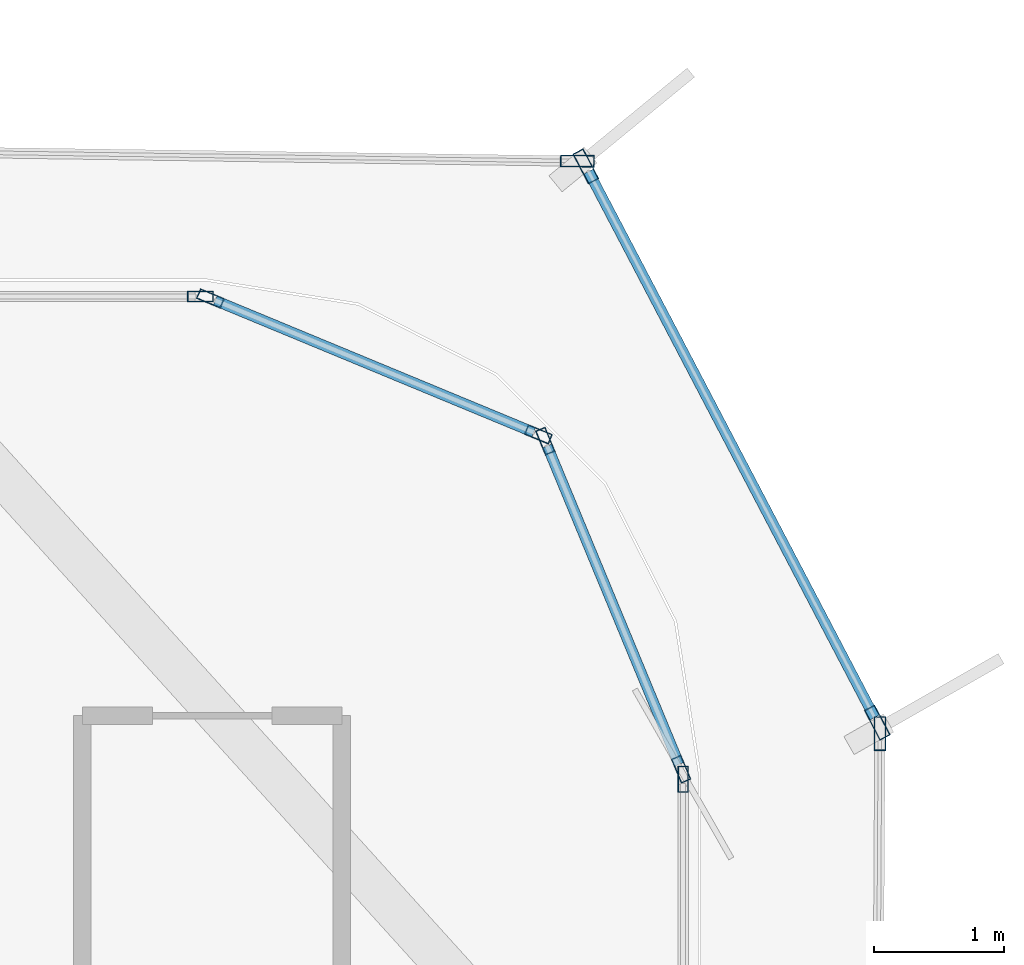
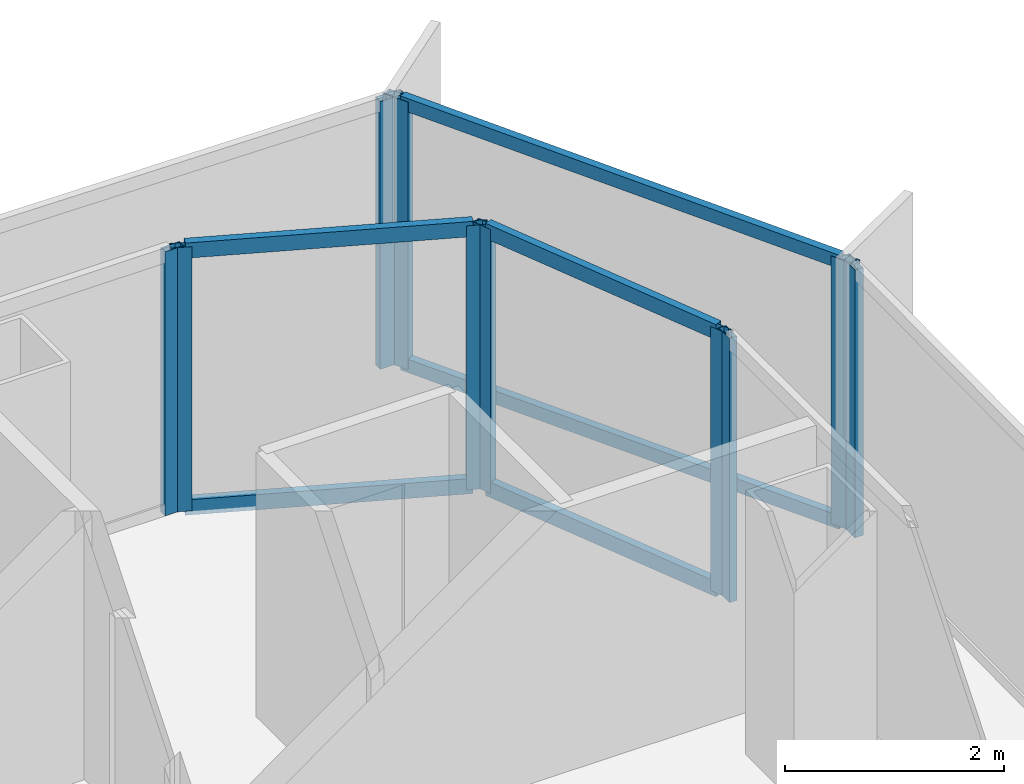
# One storey, part 14 of 21: 16 members, 7 elements without a shape of their own.
"""IFC4 building model written with IfcOpenShell, lengths in metres."""

import ifcopenshell
import ifcopenshell.guid

model = None  # the IFC model being written
_history = None  # IfcOwnerHistory: only IFC2X3 demands one
_inside = {}  # id of a spatial element -> (the spatial element, [elements in it])
_under = {}  # id of a project, library or spatial element -> (it, [spatial elements below it])
_declared = {}  # id of a project -> (the project, [libraries it declares])
_typed = {}  # id of a type object -> (the type object, [elements of that type])
_made_of = {}  # id of a material, layer set ... -> (it, [elements and type objects made of it])


def new_model(schema):
    """Start an empty IFC model of exactly this schema.

    Asked for "IFC4X3", IfcOpenShell would pick the latest addendum, in which some entities
    have other attributes; the version numbers below select the first issue.
    IFC2X3 requires an IfcOwnerHistory on every rooted entity: one is made here for all.
    """
    global model, _history
    if schema == "IFC4X3":
        model = ifcopenshell.file(schema_version=(4, 3, 0, 0))
    else:
        model = ifcopenshell.file(schema=schema)
    _inside.clear()
    _under.clear()
    _declared.clear()
    _typed.clear()
    _made_of.clear()
    _history = None
    if model.schema == "IFC2X3":
        org = make("IfcOrganization", Name="unknown")
        user = make(
            "IfcPersonAndOrganization",
            ThePerson=make("IfcPerson", FamilyName="unknown"),
            TheOrganization=org,
        )
        app = make(
            "IfcApplication",
            ApplicationDeveloper=org,
            Version="unknown",
            ApplicationFullName="unknown",
            ApplicationIdentifier="unknown",
        )
        _history = make(
            "IfcOwnerHistory",
            OwningUser=user,
            OwningApplication=app,
            ChangeAction="ADDED",
            CreationDate=0,
        )
    return model


def make(cls, **values):
    """One entity of the class cls with the attributes given. An attribute that is None is left unset."""
    return model.create_entity(
        cls, **{name: value for name, value in values.items() if value is not None}
    )


def rooted(cls, **values):
    """An entity with a GlobalId (a new one), such as an element, a storey or a relation."""
    return make(cls, GlobalId=ifcopenshell.guid.new(), OwnerHistory=_history, **values)


def si_unit(unit_type, name, prefix=None):
    """IfcSIUnit, for example si_unit("LENGTHUNIT", "METRE", prefix="MILLI")."""
    return make("IfcSIUnit", UnitType=unit_type, Prefix=prefix, Name=name)


def assignment(units):
    """IfcUnitAssignment: the units of a project."""
    return None if units is None else make("IfcUnitAssignment", Units=units)


def point(xyz):
    """IfcCartesianPoint."""
    return None if xyz is None else make("IfcCartesianPoint", Coordinates=xyz)


def direction(xyz):
    """IfcDirection."""
    return None if xyz is None else make("IfcDirection", DirectionRatios=xyz)


def frame(location, z_axis=None, x_axis=None):
    """IfcAxis2Placement3D, a coordinate frame: its origin and axes. An axis left out is left unset."""
    return make(
        "IfcAxis2Placement3D",
        Location=point(location),
        Axis=direction(z_axis),
        RefDirection=direction(x_axis),
    )


def frame_2d(location, x_axis=None):
    """IfcAxis2Placement2D, a coordinate frame in the plane: its origin and x axis."""
    return make(
        "IfcAxis2Placement2D", Location=point(location), RefDirection=direction(x_axis)
    )


def origin():
    """The frame at (0, 0, 0) with its axes left unset."""
    return frame((0.0, 0.0, 0.0))


def origin_2d():
    """The frame at (0, 0) in the plane with its x axis left unset."""
    return frame_2d((0.0, 0.0))


def place(relative_to, where):
    """IfcLocalPlacement: puts the frame where relative to a parent placement (None: the world)."""
    return make(
        "IfcLocalPlacement", PlacementRelTo=relative_to, RelativePlacement=where
    )


def context(
    kind, dimensions, precision=None, world=None, true_north=None, identifier=None
):
    """IfcGeometricRepresentationContext, for example the 3D "Model" context."""
    return make(
        "IfcGeometricRepresentationContext",
        ContextIdentifier=identifier,
        ContextType=kind,
        CoordinateSpaceDimension=dimensions,
        Precision=precision,
        WorldCoordinateSystem=world,
        TrueNorth=true_north,
    )


def subcontext(parent, identifier, kind, view, scale=None):
    """IfcGeometricRepresentationSubContext, for example "Body" below "Model"."""
    return make(
        "IfcGeometricRepresentationSubContext",
        ContextIdentifier=identifier,
        ContextType=kind,
        ParentContext=parent,
        TargetScale=scale,
        TargetView=view,
    )


def project(units=None, contexts=None):
    """IfcProject with its units and contexts."""
    return rooted(
        "IfcProject",
        Name="project",
        RepresentationContexts=contexts,
        UnitsInContext=assignment(units),
    )


def spatial(cls, under=None, at=None, **own):
    """A site, building, storey or space (cls), placed at a placement, below another one or the project."""
    s = rooted(cls, ObjectPlacement=at, **own)
    if under is not None:
        _under.setdefault(under.id(), (under, []))[1].append(s)
    return s


def profile(cls, at=None, kind="AREA", **sizes):
    """A parametric profile (cls). Its sizes go by their IFC names, for example OverallWidth=200.0."""
    return make(cls, ProfileType=kind, Position=at, **sizes)


def hollow_rectangle(**sizes):
    """IfcRectangleHollowProfileDef."""
    return profile("IfcRectangleHollowProfileDef", **sizes)


def extrude(swept, where, along, depth):
    """IfcExtrudedAreaSolid: the profile swept, set in the frame where, extruded along a direction by depth."""
    return make(
        "IfcExtrudedAreaSolid",
        SweptArea=swept,
        Position=where,
        ExtrudedDirection=direction(along),
        Depth=depth,
    )


def shape(context_of_items, identifier, shape_type, items):
    """IfcShapeRepresentation: the items that make up one representation, for example the "Body"."""
    return make(
        "IfcShapeRepresentation",
        ContextOfItems=context_of_items,
        RepresentationIdentifier=identifier,
        RepresentationType=shape_type,
        Items=items,
    )


def source(mapping_origin, context_of_items, identifier, shape_type, items):
    """IfcRepresentationMap: a shape defined once, which mapped items show again and again."""
    return make(
        "IfcRepresentationMap",
        MappingOrigin=mapping_origin,
        MappedRepresentation=shape(context_of_items, identifier, shape_type, items),
    )


def transform(
    local_origin,
    x_axis=None,
    y_axis=None,
    z_axis=None,
    scale=None,
    scale2=None,
    scale3=None,
    uniform=True,
):
    """IfcCartesianTransformationOperator3D, or its non-uniform kind. x_axis, y_axis, z_axis: its Axis1, 2, 3."""
    if uniform:
        return make(
            "IfcCartesianTransformationOperator3D",
            Axis1=direction(x_axis),
            Axis2=direction(y_axis),
            LocalOrigin=point(local_origin),
            Scale=scale,
            Axis3=direction(z_axis),
        )
    return make(
        "IfcCartesianTransformationOperator3DnonUniform",
        Axis1=direction(x_axis),
        Axis2=direction(y_axis),
        LocalOrigin=point(local_origin),
        Scale=scale,
        Axis3=direction(z_axis),
        Scale2=scale2,
        Scale3=scale3,
    )


def mapped(mapping_source, mapping_target):
    """IfcMappedItem: shows the shape of a source again, moved by a transform."""
    return make(
        "IfcMappedItem", MappingSource=mapping_source, MappingTarget=mapping_target
    )


def material(Name=None, Category=None):
    """IfcMaterial."""
    return make("IfcMaterial", Name=Name, Category=Category)


def layer(
    of_material, thickness, ventilated=None, Name=None, Category=None, Priority=None
):
    """IfcMaterialLayer: one layer of a wall or slab, of a material (None: an air gap)."""
    return make(
        "IfcMaterialLayer",
        Material=of_material,
        LayerThickness=thickness,
        IsVentilated=ventilated,
        Name=Name,
        Category=Category,
        Priority=Priority,
    )


def layer_set(layers, Name=None):
    """IfcMaterialLayerSet."""
    return make("IfcMaterialLayerSet", MaterialLayers=layers, LayerSetName=Name)


def material_profile(
    of_material, cross_section, Name=None, Category=None, Priority=None
):
    """IfcMaterialProfile: a cross section and its material."""
    return make(
        "IfcMaterialProfile",
        Name=Name,
        Material=of_material,
        Profile=cross_section,
        Priority=Priority,
        Category=Category,
    )


def profile_set(profiles, Name=None, composite=None):
    """IfcMaterialProfileSet."""
    return make(
        "IfcMaterialProfileSet",
        Name=Name,
        MaterialProfiles=profiles,
        CompositeProfile=composite,
    )


def made_of(thing, what):
    """Note that an element or type object is made of a material, layer set ...; save() writes the relation."""
    if what is not None:
        _made_of.setdefault(what.id(), (what, []))[1].append(thing)
    return thing


def type_object(cls, material=None, **own):
    """A type object (cls), such as IfcWallType, which elements share."""
    return made_of(rooted(cls, **own), material)


def element(
    cls,
    number,
    at=None,
    inside=None,
    cuts=None,
    type_object=None,
    material=None,
    context=None,
    identifier="Body",
    shape_type=None,
    held_by="IfcProductDefinitionShape",
    body=None,
    shapes=None,
    **own,
):
    """One element of the class cls, such as IfcWall. Its Tag is "e" and its number.

    at: its placement. inside: the storey or other place that contains it. cuts: it is an
    opening in that element (IfcRelVoidsElement). A single representation is given by context,
    identifier, shape_type and body (its items); several are given by shapes. held_by: the class
    of the entity that holds the representations. save() writes the other relations.
    """
    e = rooted(cls, Tag="e%d" % number, ObjectPlacement=at, **own)
    if body is not None:
        shapes = [shape(context, identifier, shape_type, body)]
    if shapes is not None:
        e.Representation = make(held_by, Representations=shapes)
    if inside is not None:
        _inside.setdefault(inside.id(), (inside, []))[1].append(e)
    if cuts is not None:
        rooted(
            "IfcRelVoidsElement", RelatingBuildingElement=cuts, RelatedOpeningElement=e
        )
    if type_object is not None:
        _typed.setdefault(type_object.id(), (type_object, []))[1].append(e)
    return made_of(e, material)


def aggregate(whole, parts):
    """IfcRelAggregates: a whole, such as a stair, and the parts it consists of."""
    return rooted("IfcRelAggregates", RelatingObject=whole, RelatedObjects=parts)


def save(model, path):
    """Write the relations noted so far, then the file.

    IfcRelAggregates (storeys below a building ...), IfcRelContainedInSpatialStructure (elements
    in a storey), IfcRelDefinesByType, IfcRelAssociatesMaterial and IfcRelDeclares: one each for
    every whole, place, type object, material and project.
    """
    for whole, parts in _under.values():
        aggregate(whole, parts)
    for where, things in _inside.values():
        rooted(
            "IfcRelContainedInSpatialStructure",
            RelatedElements=things,
            RelatingStructure=where,
        )
    for kind, things in _typed.values():
        rooted("IfcRelDefinesByType", RelatedObjects=things, RelatingType=kind)
    for what, things in _made_of.values():
        rooted("IfcRelAssociatesMaterial", RelatedObjects=things, RelatingMaterial=what)
    for by, libraries in _declared.values():
        rooted("IfcRelDeclares", RelatingContext=by, RelatedDefinitions=libraries)
    model.write(path)


model = new_model("IFC4")

# Units and contexts
model_context = context("Model", 3, precision=1e-05, world=origin(), true_north=direction((0.0, 1.0)))
body_context = subcontext(model_context, "Body", "Model", "MODEL_VIEW")
ifc_project = project(units=[si_unit("LENGTHUNIT", "METRE"), si_unit("AREAUNIT", "SQUARE_METRE"), si_unit("VOLUMEUNIT", "CUBIC_METRE"), si_unit("PLANEANGLEUNIT", "RADIAN"), si_unit("MASSUNIT", "GRAM", prefix="KILO")], contexts=[model_context])

# Site, building, storey
site_placement = place(None, origin())
site = spatial("IfcSite", under=ifc_project, at=site_placement, CompositionType="ELEMENT")
building_placement = place(site_placement, origin())
building = spatial("IfcBuilding", under=site, at=building_placement, Name="Kolveth Station Tower", CompositionType="ELEMENT")
storey_placement = place(building_placement, frame((0.0, 0.0, 131.10009765625)))
storey = spatial("IfcBuildingStorey", under=building, at=storey_placement, Name="L36", CompositionType="ELEMENT", Elevation=131.10009765625)

# Curtain wall, member
ifc_material_1 = material(Name="Aluminium 6063-T6 and low-E dark glass", Category="aluminium")
ifc_layer_1 = layer(ifc_material_1, 0.18994140625)
ifc_layer_set_1 = layer_set([ifc_layer_1], Name="Aluminium 6063-T6 and low-E dark glass")
curtain_wall_type_1 = type_object("IfcCurtainWallType", Name="CurtainWall_CW-Z2", PredefinedType="NOTDEFINED", material=ifc_layer_set_1)
curtain_wall_1_placement = place(storey_placement, origin())
curtain_wall_1 = element("IfcCurtainWall", 1, at=curtain_wall_1_placement, inside=storey, type_object=curtain_wall_type_1, Name="L36 Inner Thermal Curtain Wall 3", PredefinedType="NOTDEFINED")
ifc_material_2 = material(Name="Black anodized aluminium 6063-T6", Category="aluminium")
ifc_material_profile_1 = material_profile(ifc_material_2, hollow_rectangle(XDim=0.080078125, YDim=0.199951171875, WallThickness=0.0048828125, at=origin_2d()), Name="ALU-80x200x5")
ifc_profile_set_1 = profile_set([ifc_material_profile_1], Name="Black anodized aluminium 6063-T6")
member_type_1 = type_object("IfcMemberType", Name="Mullion_ML2", PredefinedType="MULLION", material=ifc_profile_set_1)
shared_shape_1 = source(origin(), body_context, "Body", "SweptSolid", [
    extrude(hollow_rectangle(XDim=0.080078125, YDim=0.199951171875, WallThickness=0.0048828125, at=origin_2d()), origin(), (0.0, 0.0, 1.0), 2.949951171875),
])
member_1_placement = place(storey_placement, frame((46.8798828125, 31.4599609375, 0.0), z_axis=(0.0, 0.0, 1.0), x_axis=(-1.0, 0.0, 0.0)))
member_1 = element("IfcMember", 2, at=member_1_placement, type_object=member_type_1, Name="CW-Z2 mullion 2", PredefinedType="MULLION", context=body_context, shape_type="MappedRepresentation", body=[
    mapped(shared_shape_1, transform((0.0, 0.0, 0.0), x_axis=(1.0, 0.0, 0.0), y_axis=(0.0, 1.0, 0.0), z_axis=(0.0, 0.0, 1.0), scale=1.0)),
])
aggregate(curtain_wall_1, [member_1])

# Curtain wall, members
curtain_wall_2_placement = place(storey_placement, origin())
curtain_wall_2 = element("IfcCurtainWall", 3, at=curtain_wall_2_placement, inside=storey, type_object=curtain_wall_type_1, Name="L36 Inner Thermal Curtain Wall 4", PredefinedType="NOTDEFINED")
member_2_placement = place(storey_placement, frame((46.86474609375, 31.536865234375, 0.0), z_axis=(0.0, 0.0, 1.0), x_axis=(-0.923887883787, -0.38266326998, 0.0)))
member_2 = element("IfcMember", 4, at=member_2_placement, type_object=member_type_1, Name="CW-Z2 mullion 1", PredefinedType="MULLION", context=body_context, shape_type="MappedRepresentation", body=[
    mapped(shared_shape_1, transform((0.0, 0.0, 0.0), x_axis=(1.0, 0.0, 0.0), y_axis=(0.0, 1.0, 0.0), z_axis=(0.0, 0.0, 1.0), scale=1.0)),
])
member_3_placement = place(storey_placement, frame((45.817626953125, 34.065185546875, 0.0), z_axis=(0.0, 0.0, 1.0), x_axis=(-0.923887883787, -0.38266326998, 0.0)))
member_3 = element("IfcMember", 5, at=member_3_placement, type_object=member_type_1, Name="CW-Z2 mullion 2", PredefinedType="MULLION", context=body_context, shape_type="MappedRepresentation", body=[
    mapped(shared_shape_1, transform((0.0, 0.0, 0.0), x_axis=(1.0, 0.0, 0.0), y_axis=(0.0, 1.0, 0.0), z_axis=(0.0, 0.0, 1.0), scale=1.0)),
])

curtain_wall_3_placement = place(storey_placement, origin())
curtain_wall_3 = element("IfcCurtainWall", 6, at=curtain_wall_3_placement, inside=storey, type_object=curtain_wall_type_1, Name="L36 Inner Thermal Curtain Wall 5", PredefinedType="NOTDEFINED")
member_4_placement = place(storey_placement, frame((45.76513671875, 34.117431640625, 0.0), z_axis=(0.0, 0.0, 1.0), x_axis=(-0.38266326998, -0.923887883787, 0.0)))
member_4 = element("IfcMember", 7, at=member_4_placement, type_object=member_type_1, Name="CW-Z2 mullion 1", PredefinedType="MULLION", context=body_context, shape_type="MappedRepresentation", body=[
    mapped(shared_shape_1, transform((0.0, 0.0, 0.0), x_axis=(1.0, 0.0, 0.0), y_axis=(0.0, 1.0, 0.0), z_axis=(0.0, 0.0, 1.0), scale=1.0)),
])
member_5_placement = place(storey_placement, frame((43.237060546875, 35.164794921875, 0.0), z_axis=(0.0, 0.0, 1.0), x_axis=(-0.38266326998, -0.923887883787, 0.0)))
member_5 = element("IfcMember", 8, at=member_5_placement, type_object=member_type_1, Name="CW-Z2 mullion 2", PredefinedType="MULLION", context=body_context, shape_type="MappedRepresentation", body=[
    mapped(shared_shape_1, transform((0.0, 0.0, 0.0), x_axis=(1.0, 0.0, 0.0), y_axis=(0.0, 1.0, 0.0), z_axis=(0.0, 0.0, 1.0), scale=1.0)),
])

# Curtain wall, member
curtain_wall_4_placement = place(storey_placement, origin())
curtain_wall_4 = element("IfcCurtainWall", 9, at=curtain_wall_4_placement, inside=storey, type_object=curtain_wall_type_1, Name="L36 Inner Thermal Curtain Wall 6", PredefinedType="NOTDEFINED")
member_6_placement = place(storey_placement, frame((43.159912109375, 35.179931640625, 0.0), z_axis=(0.0, 0.0, 1.0), x_axis=(0.0, -1.0, 0.0)))
member_6 = element("IfcMember", 10, at=member_6_placement, type_object=member_type_1, Name="CW-Z2 mullion 1", PredefinedType="MULLION", context=body_context, shape_type="MappedRepresentation", body=[
    mapped(shared_shape_1, transform((0.0, 0.0, 0.0), x_axis=(1.0, 0.0, 0.0), y_axis=(0.0, 1.0, 0.0), z_axis=(0.0, 0.0, 1.0), scale=1.0)),
])
aggregate(curtain_wall_4, [member_6])

# Member
ifc_material_profile_2 = material_profile(ifc_material_2, hollow_rectangle(XDim=0.080078125, YDim=0.169921875, WallThickness=0.0048828125, at=origin_2d()), Name="ALU-80x170x5")
ifc_profile_set_2 = profile_set([ifc_material_profile_2], Name="Black anodized aluminium 6063-T6")
member_type_2 = type_object("IfcMemberType", Name="Transom_TR2", PredefinedType="USERDEFINED", material=ifc_profile_set_2)
shared_shape_2 = source(origin(), body_context, "Body", "SweptSolid", [
    extrude(hollow_rectangle(XDim=0.080078125, YDim=0.169921875, WallThickness=0.0048828125, at=origin_2d()), origin(), (0.0, 0.0, 1.0), 2.656494140625),
])
member_7_placement = place(storey_placement, frame((46.849365234375, 31.573974609375, 0.039794921875), z_axis=(-0.382676455475, 0.923882422403, 0.0), x_axis=(-0.923882422403, -0.382676455475, 0.0)))
member_7 = element("IfcMember", 11, at=member_7_placement, type_object=member_type_2, Name="CW-Z2 transom 1.1", ObjectType="TRANSOM", PredefinedType="USERDEFINED", context=body_context, shape_type="MappedRepresentation", body=[
    mapped(shared_shape_2, transform((0.0, 0.0, 0.0), x_axis=(1.0, 0.0, 0.0), y_axis=(0.0, 1.0, 0.0), z_axis=(0.0, 0.0, 1.0), scale=1.0)),
])

member_8_placement = place(storey_placement, frame((46.849365234375, 31.573974609375, 2.909912109375), z_axis=(-0.382676455475, 0.923882422403, 0.0), x_axis=(-0.923882422403, -0.382676455475, 0.0)))
member_8 = element("IfcMember", 12, at=member_8_placement, type_object=member_type_2, Name="CW-Z2 transom 1.2", ObjectType="TRANSOM", PredefinedType="USERDEFINED", context=body_context, shape_type="MappedRepresentation", body=[
    mapped(shared_shape_2, transform((0.0, 0.0, 0.0), x_axis=(1.0, 0.0, 0.0), y_axis=(0.0, 1.0, 0.0), z_axis=(0.0, 0.0, 1.0), scale=1.0)),
])

aggregate(curtain_wall_2, [member_2, member_3, member_7, member_8])

member_9_placement = place(storey_placement, frame((45.728271484375, 34.1328125, 0.039794921875), z_axis=(-0.923882422403, 0.382676455475, 0.0), x_axis=(-0.382676455475, -0.923882422403, 0.0)))
member_9 = element("IfcMember", 13, at=member_9_placement, type_object=member_type_2, Name="CW-Z2 transom 1.1", ObjectType="TRANSOM", PredefinedType="USERDEFINED", context=body_context, shape_type="MappedRepresentation", body=[
    mapped(shared_shape_2, transform((0.0, 0.0, 0.0), x_axis=(1.0, 0.0, 0.0), y_axis=(0.0, 1.0, 0.0), z_axis=(0.0, 0.0, 1.0), scale=1.0)),
])

member_10_placement = place(storey_placement, frame((45.728271484375, 34.1328125, 2.909912109375), z_axis=(-0.923882422403, 0.382676455475, 0.0), x_axis=(-0.382676455475, -0.923882422403, 0.0)))
member_10 = element("IfcMember", 14, at=member_10_placement, type_object=member_type_2, Name="CW-Z2 transom 1.2", ObjectType="TRANSOM", PredefinedType="USERDEFINED", context=body_context, shape_type="MappedRepresentation", body=[
    mapped(shared_shape_2, transform((0.0, 0.0, 0.0), x_axis=(1.0, 0.0, 0.0), y_axis=(0.0, 1.0, 0.0), z_axis=(0.0, 0.0, 1.0), scale=1.0)),
])

aggregate(curtain_wall_3, [member_4, member_5, member_9, member_10])

# Curtain wall, member
ifc_material_3 = material(Name="Black anodized aluminium 6063-T6 and dark solar glass", Category="aluminium")
ifc_layer_2 = layer(ifc_material_3, 0.159912109375)
ifc_layer_set_2 = layer_set([ifc_layer_2], Name="Black anodized aluminium 6063-T6 and dark solar glass")
curtain_wall_type_2 = type_object("IfcCurtainWallType", Name="OUTER SKIN CW-OS", PredefinedType="NOTDEFINED", material=ifc_layer_set_2)
curtain_wall_5_placement = place(storey_placement, origin())
curtain_wall_5 = element("IfcCurtainWall", 15, at=curtain_wall_5_placement, inside=storey, type_object=curtain_wall_type_2, Name="L36 Outer Ventilated Skin Curtain Wall 2", PredefinedType="NOTDEFINED")
ifc_material_profile_3 = material_profile(ifc_material_2, hollow_rectangle(XDim=0.090087890625, YDim=0.260009765625, WallThickness=0.0048828125, at=origin_2d()), Name="ALU-90x260x5")
ifc_profile_set_3 = profile_set([ifc_material_profile_3], Name="Black anodized aluminium 6063-T6")
member_type_3 = type_object("IfcMemberType", Name="FIN MULLION ML-OS", PredefinedType="MULLION", material=ifc_profile_set_3)
shared_shape_3 = source(origin(), body_context, "Body", "SweptSolid", [
    extrude(hollow_rectangle(XDim=0.090087890625, YDim=0.260009765625, WallThickness=0.0048828125, at=origin_2d()), origin(), (0.0, 0.0, 1.0), 2.989990234375),
])
member_11_placement = place(storey_placement, frame((48.397216796875, 31.810546875, 0.0), z_axis=(0.0, 0.0, 1.0), x_axis=(-0.999982390992, 0.005934450811, 0.0)))
member_11 = element("IfcMember", 16, at=member_11_placement, type_object=member_type_3, Name="CW-OS mullion 2", PredefinedType="MULLION", context=body_context, shape_type="MappedRepresentation", body=[
    mapped(shared_shape_3, transform((0.0, 0.0, 0.0), x_axis=(1.0, 0.0, 0.0), y_axis=(0.0, 1.0, 0.0), z_axis=(0.0, 0.0, 1.0), scale=1.0)),
])
aggregate(curtain_wall_5, [member_11])

# Curtain wall, members
curtain_wall_6_placement = place(storey_placement, origin())
curtain_wall_6 = element("IfcCurtainWall", 17, at=curtain_wall_6_placement, inside=storey, type_object=curtain_wall_type_2, Name="L36 Outer Ventilated Skin Curtain Wall 3", PredefinedType="NOTDEFINED")
member_12_placement = place(storey_placement, frame((48.376708984375, 31.895263671875, 0.0), z_axis=(0.0, 0.0, 1.0), x_axis=(-0.885809700634, -0.46404867661, 0.0)))
member_12 = element("IfcMember", 18, at=member_12_placement, type_object=member_type_3, Name="CW-OS mullion 1", PredefinedType="MULLION", context=body_context, shape_type="MappedRepresentation", body=[
    mapped(shared_shape_3, transform((0.0, 0.0, 0.0), x_axis=(1.0, 0.0, 0.0), y_axis=(0.0, 1.0, 0.0), z_axis=(0.0, 0.0, 1.0), scale=1.0)),
])
member_13_placement = place(storey_placement, frame((46.13037109375, 36.18310546875, 0.0), z_axis=(0.0, 0.0, 1.0), x_axis=(-0.885809700634, -0.46404867661, 0.0)))
member_13 = element("IfcMember", 19, at=member_13_placement, type_object=member_type_3, Name="CW-OS mullion 2", PredefinedType="MULLION", context=body_context, shape_type="MappedRepresentation", body=[
    mapped(shared_shape_3, transform((0.0, 0.0, 0.0), x_axis=(1.0, 0.0, 0.0), y_axis=(0.0, 1.0, 0.0), z_axis=(0.0, 0.0, 1.0), scale=1.0)),
])

# Curtain wall, member
curtain_wall_7_placement = place(storey_placement, origin())
curtain_wall_7 = element("IfcCurtainWall", 20, at=curtain_wall_7_placement, inside=storey, type_object=curtain_wall_type_2, Name="L36 Outer Ventilated Skin Curtain Wall 4", PredefinedType="NOTDEFINED")
member_14_placement = place(storey_placement, frame((46.064697265625, 36.2236328125, 0.0), z_axis=(0.0, 0.0, 1.0), x_axis=(-0.014195992047, -0.999899231828, 0.0)))
member_14 = element("IfcMember", 21, at=member_14_placement, type_object=member_type_3, Name="CW-OS mullion 1", PredefinedType="MULLION", context=body_context, shape_type="MappedRepresentation", body=[
    mapped(shared_shape_3, transform((0.0, 0.0, 0.0), x_axis=(1.0, 0.0, 0.0), y_axis=(0.0, 1.0, 0.0), z_axis=(0.0, 0.0, 1.0), scale=1.0)),
])
aggregate(curtain_wall_7, [member_14])

# Member
ifc_material_profile_4 = material_profile(ifc_material_2, hollow_rectangle(XDim=0.080078125, YDim=0.14990234375, WallThickness=0.0048828125, at=origin_2d()), Name="ALU-80x150x5")
ifc_profile_set_4 = profile_set([ifc_material_profile_4], Name="Black anodized aluminium 6063-T6")
member_type_4 = type_object("IfcMemberType", Name="Transom_TR-OS", PredefinedType="USERDEFINED", material=ifc_profile_set_4)
shared_shape_4 = source(origin(), body_context, "Body", "SweptSolid", [
    extrude(hollow_rectangle(XDim=0.080078125, YDim=0.14990234375, WallThickness=0.0048828125, at=origin_2d()), origin(), (0.0, 0.0, 1.0), 4.75048828125),
])
member_15_placement = place(storey_placement, frame((48.35595703125, 31.935302734375, 0.039794921875), z_axis=(-0.464072285381, 0.885797332318, 0.0), x_axis=(-0.885797332318, -0.464072285381, 0.0)))
member_15 = element("IfcMember", 22, at=member_15_placement, type_object=member_type_4, Name="CW-OS transom 1.1", ObjectType="TRANSOM", PredefinedType="USERDEFINED", context=body_context, shape_type="MappedRepresentation", body=[
    mapped(shared_shape_4, transform((0.0, 0.0, 0.0), x_axis=(1.0, 0.0, 0.0), y_axis=(0.0, 1.0, 0.0), z_axis=(0.0, 0.0, 1.0), scale=1.0)),
])

member_16_placement = place(storey_placement, frame((48.35595703125, 31.935302734375, 2.949951171875), z_axis=(-0.464072285381, 0.885797332318, 0.0), x_axis=(-0.885797332318, -0.464072285381, 0.0)))
member_16 = element("IfcMember", 23, at=member_16_placement, type_object=member_type_4, Name="CW-OS transom 1.2", ObjectType="TRANSOM", PredefinedType="USERDEFINED", context=body_context, shape_type="MappedRepresentation", body=[
    mapped(shared_shape_4, transform((0.0, 0.0, 0.0), x_axis=(1.0, 0.0, 0.0), y_axis=(0.0, 1.0, 0.0), z_axis=(0.0, 0.0, 1.0), scale=1.0)),
])

aggregate(curtain_wall_6, [member_12, member_13, member_15, member_16])

save(model, "model.ifc")
